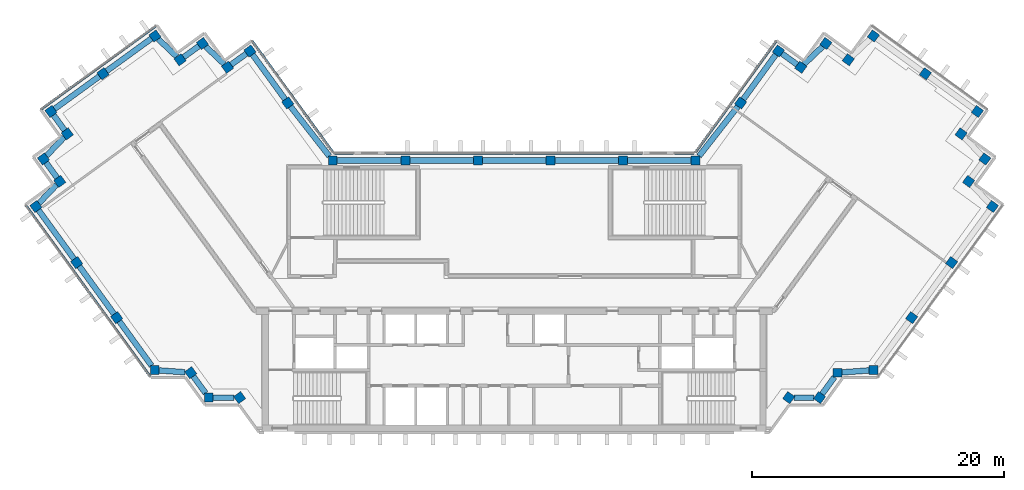
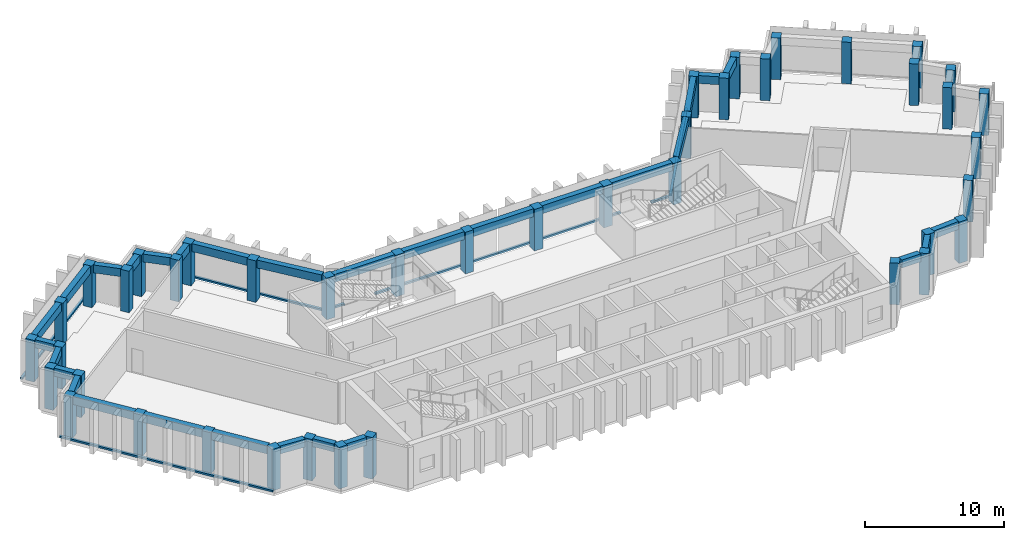
"""IFC4 building model written with IfcOpenShell, lengths in metres."""

import ifcopenshell
import ifcopenshell.guid

model = None  # the IFC model being written
_history = None  # IfcOwnerHistory: only IFC2X3 demands one
_inside = {}  # id of a spatial element -> (the spatial element, [elements in it])
_under = {}  # id of a project, library or spatial element -> (it, [spatial elements below it])
_declared = {}  # id of a project -> (the project, [libraries it declares])
_typed = {}  # id of a type object -> (the type object, [elements of that type])
_made_of = {}  # id of a material, layer set ... -> (it, [elements and type objects made of it])


def new_model(schema):
    """Start an empty IFC model of exactly this schema.

    Asked for "IFC4X3", IfcOpenShell would pick the latest addendum, in which some entities
    have other attributes; the version numbers below select the first issue.
    IFC2X3 requires an IfcOwnerHistory on every rooted entity: one is made here for all.
    """
    global model, _history
    if schema == "IFC4X3":
        model = ifcopenshell.file(schema_version=(4, 3, 0, 0))
    else:
        model = ifcopenshell.file(schema=schema)
    _inside.clear()
    _under.clear()
    _declared.clear()
    _typed.clear()
    _made_of.clear()
    _history = None
    if model.schema == "IFC2X3":
        org = make("IfcOrganization", Name="unknown")
        user = make(
            "IfcPersonAndOrganization",
            ThePerson=make("IfcPerson", FamilyName="unknown"),
            TheOrganization=org,
        )
        app = make(
            "IfcApplication",
            ApplicationDeveloper=org,
            Version="unknown",
            ApplicationFullName="unknown",
            ApplicationIdentifier="unknown",
        )
        _history = make(
            "IfcOwnerHistory",
            OwningUser=user,
            OwningApplication=app,
            ChangeAction="ADDED",
            CreationDate=0,
        )
    return model


def make(cls, **values):
    """One entity of the class cls with the attributes given. An attribute that is None is left unset."""
    return model.create_entity(
        cls, **{name: value for name, value in values.items() if value is not None}
    )


def rooted(cls, **values):
    """An entity with a GlobalId (a new one), such as an element, a storey or a relation."""
    return make(cls, GlobalId=ifcopenshell.guid.new(), OwnerHistory=_history, **values)


def si_unit(unit_type, name, prefix=None):
    """IfcSIUnit, for example si_unit("LENGTHUNIT", "METRE", prefix="MILLI")."""
    return make("IfcSIUnit", UnitType=unit_type, Prefix=prefix, Name=name)


def assignment(units):
    """IfcUnitAssignment: the units of a project."""
    return None if units is None else make("IfcUnitAssignment", Units=units)


def point(xyz):
    """IfcCartesianPoint."""
    return None if xyz is None else make("IfcCartesianPoint", Coordinates=xyz)


def direction(xyz):
    """IfcDirection."""
    return None if xyz is None else make("IfcDirection", DirectionRatios=xyz)


def frame(location, z_axis=None, x_axis=None):
    """IfcAxis2Placement3D, a coordinate frame: its origin and axes. An axis left out is left unset."""
    return make(
        "IfcAxis2Placement3D",
        Location=point(location),
        Axis=direction(z_axis),
        RefDirection=direction(x_axis),
    )


def frame_2d(location, x_axis=None):
    """IfcAxis2Placement2D, a coordinate frame in the plane: its origin and x axis."""
    return make(
        "IfcAxis2Placement2D", Location=point(location), RefDirection=direction(x_axis)
    )


def origin():
    """The frame at (0, 0, 0) with its axes left unset."""
    return frame((0.0, 0.0, 0.0))


def origin_2d():
    """The frame at (0, 0) in the plane with its x axis left unset."""
    return frame_2d((0.0, 0.0))


def place(relative_to, where):
    """IfcLocalPlacement: puts the frame where relative to a parent placement (None: the world)."""
    return make(
        "IfcLocalPlacement", PlacementRelTo=relative_to, RelativePlacement=where
    )


def context(
    kind, dimensions, precision=None, world=None, true_north=None, identifier=None
):
    """IfcGeometricRepresentationContext, for example the 3D "Model" context."""
    return make(
        "IfcGeometricRepresentationContext",
        ContextIdentifier=identifier,
        ContextType=kind,
        CoordinateSpaceDimension=dimensions,
        Precision=precision,
        WorldCoordinateSystem=world,
        TrueNorth=true_north,
    )


def subcontext(parent, identifier, kind, view, scale=None):
    """IfcGeometricRepresentationSubContext, for example "Body" below "Model"."""
    return make(
        "IfcGeometricRepresentationSubContext",
        ContextIdentifier=identifier,
        ContextType=kind,
        ParentContext=parent,
        TargetScale=scale,
        TargetView=view,
    )


def project(units=None, contexts=None):
    """IfcProject with its units and contexts."""
    return rooted(
        "IfcProject",
        Name="project",
        RepresentationContexts=contexts,
        UnitsInContext=assignment(units),
    )


def spatial(cls, under=None, at=None, **own):
    """A site, building, storey or space (cls), placed at a placement, below another one or the project."""
    s = rooted(cls, ObjectPlacement=at, **own)
    if under is not None:
        _under.setdefault(under.id(), (under, []))[1].append(s)
    return s


def profile(cls, at=None, kind="AREA", **sizes):
    """A parametric profile (cls). Its sizes go by their IFC names, for example OverallWidth=200.0."""
    return make(cls, ProfileType=kind, Position=at, **sizes)


def rectangle(**sizes):
    """IfcRectangleProfileDef."""
    return profile("IfcRectangleProfileDef", **sizes)


def extrude(swept, where, along, depth):
    """IfcExtrudedAreaSolid: the profile swept, set in the frame where, extruded along a direction by depth."""
    return make(
        "IfcExtrudedAreaSolid",
        SweptArea=swept,
        Position=where,
        ExtrudedDirection=direction(along),
        Depth=depth,
    )


def shape(context_of_items, identifier, shape_type, items):
    """IfcShapeRepresentation: the items that make up one representation, for example the "Body"."""
    return make(
        "IfcShapeRepresentation",
        ContextOfItems=context_of_items,
        RepresentationIdentifier=identifier,
        RepresentationType=shape_type,
        Items=items,
    )


def material(Name=None, Category=None):
    """IfcMaterial."""
    return make("IfcMaterial", Name=Name, Category=Category)


def material_profile(
    of_material, cross_section, Name=None, Category=None, Priority=None
):
    """IfcMaterialProfile: a cross section and its material."""
    return make(
        "IfcMaterialProfile",
        Name=Name,
        Material=of_material,
        Profile=cross_section,
        Priority=Priority,
        Category=Category,
    )


def profile_set(profiles, Name=None, composite=None):
    """IfcMaterialProfileSet."""
    return make(
        "IfcMaterialProfileSet",
        Name=Name,
        MaterialProfiles=profiles,
        CompositeProfile=composite,
    )


def made_of(thing, what):
    """Note that an element or type object is made of a material, layer set ...; save() writes the relation."""
    if what is not None:
        _made_of.setdefault(what.id(), (what, []))[1].append(thing)
    return thing


def type_object(cls, material=None, **own):
    """A type object (cls), such as IfcWallType, which elements share."""
    return made_of(rooted(cls, **own), material)


def element(
    cls,
    number,
    at=None,
    inside=None,
    cuts=None,
    type_object=None,
    material=None,
    context=None,
    identifier="Body",
    shape_type=None,
    held_by="IfcProductDefinitionShape",
    body=None,
    shapes=None,
    **own,
):
    """One element of the class cls, such as IfcWall. Its Tag is "e" and its number.

    at: its placement. inside: the storey or other place that contains it. cuts: it is an
    opening in that element (IfcRelVoidsElement). A single representation is given by context,
    identifier, shape_type and body (its items); several are given by shapes. held_by: the class
    of the entity that holds the representations. save() writes the other relations.
    """
    e = rooted(cls, Tag="e%d" % number, ObjectPlacement=at, **own)
    if body is not None:
        shapes = [shape(context, identifier, shape_type, body)]
    if shapes is not None:
        e.Representation = make(held_by, Representations=shapes)
    if inside is not None:
        _inside.setdefault(inside.id(), (inside, []))[1].append(e)
    if cuts is not None:
        rooted(
            "IfcRelVoidsElement", RelatingBuildingElement=cuts, RelatedOpeningElement=e
        )
    if type_object is not None:
        _typed.setdefault(type_object.id(), (type_object, []))[1].append(e)
    return made_of(e, material)


def aggregate(whole, parts):
    """IfcRelAggregates: a whole, such as a stair, and the parts it consists of."""
    return rooted("IfcRelAggregates", RelatingObject=whole, RelatedObjects=parts)


def save(model, path):
    """Write the relations noted so far, then the file.

    IfcRelAggregates (storeys below a building ...), IfcRelContainedInSpatialStructure (elements
    in a storey), IfcRelDefinesByType, IfcRelAssociatesMaterial and IfcRelDeclares: one each for
    every whole, place, type object, material and project.
    """
    for whole, parts in _under.values():
        aggregate(whole, parts)
    for where, things in _inside.values():
        rooted(
            "IfcRelContainedInSpatialStructure",
            RelatedElements=things,
            RelatingStructure=where,
        )
    for kind, things in _typed.values():
        rooted("IfcRelDefinesByType", RelatedObjects=things, RelatingType=kind)
    for what, things in _made_of.values():
        rooted("IfcRelAssociatesMaterial", RelatedObjects=things, RelatingMaterial=what)
    for by, libraries in _declared.values():
        rooted("IfcRelDeclares", RelatingContext=by, RelatedDefinitions=libraries)
    model.write(path)


model = new_model("IFC4")

# Units and contexts
model_context = context("Model", 3, precision=1e-05, world=origin(), true_north=direction((0.0, 1.0)))
body_context = subcontext(model_context, "Body", "Model", "MODEL_VIEW")
ifc_project = project(units=[si_unit("LENGTHUNIT", "METRE"), si_unit("AREAUNIT", "SQUARE_METRE"), si_unit("VOLUMEUNIT", "CUBIC_METRE"), si_unit("PLANEANGLEUNIT", "RADIAN"), si_unit("MASSUNIT", "GRAM", prefix="KILO")], contexts=[model_context])

# Site, building, storey
site_placement = place(None, origin())
site = spatial("IfcSite", under=ifc_project, at=site_placement, CompositionType="ELEMENT")
building_placement = place(site_placement, origin())
building = spatial("IfcBuilding", under=site, at=building_placement, Name="Quipu Civic Tower", CompositionType="ELEMENT")
storey_1_placement = place(building_placement, frame((0.0, 0.0, 307.0)))
storey_1 = spatial("IfcBuildingStorey", under=building, at=storey_1_placement, Name="L71", CompositionType="ELEMENT", Elevation=307.0)

# Columns
ifc_material_1 = material(Name="Concrete C40/50", Category="concrete")
ifc_material_profile_1 = material_profile(ifc_material_1, rectangle(XDim=0.699951171875, YDim=0.699951171875, at=origin_2d()), Name="RC700x700")
ifc_profile_set_1 = profile_set([ifc_material_profile_1], Name="Concrete C40/50")
column_type = type_object("IfcColumnType", Name="Perimeter column RC 700x700 C40/50", PredefinedType="COLUMN", material=ifc_profile_set_1)
for number, where, z_axis, x_axis, name in (
    (1, (-17.9736328125, 15.074951171875, 0.0), (0.0, 0.0, 1.0), (-0.587785252292, 0.809016994375, 0.0), "Column L71 W-IN-01"),
    (2, (-20.969970703125, 19.195068359375, 0.0), (0.0, 0.0, 1.0), (-0.587785252292, 0.809016994375, 0.0), "Column L71 T-Wi.0-W22"),
    (3, (-22.749267578125, 17.904296875, 0.0), (0.0, 0.0, 1.0), (-0.587785252292, 0.809016994375, 0.0), "Column L71 T-Wi.1-W22"),
    (4, (-24.739990234375, 19.794921875, 0.0), (0.0, 0.0, 1.0), (-0.587785252292, 0.809016994375, 0.0), "Column L71 T-Wi.2-W22"),
    (5, (-26.51904296875, 18.50048828125, 0.0), (0.0, 0.0, 1.0), (-0.587785252292, 0.809016994375, 0.0), "Column L71 T-Wi.3-W22"),
    (6, (-28.510009765625, 20.389892578125, 0.0), (0.0, 0.0, 1.0), (-0.809016994375, -0.587785252292, 0.0), "Column L71 T-Wi.4-W22"),
    (7, (-32.636962890625, 17.39306640625, 0.0), (0.0, 0.0, 1.0), (-0.809016994375, -0.587785252292, 0.0), "Column L71 TIP-W-01-W22"),
    (8, (-36.764892578125, 14.39501953125, 0.0), (0.0, 0.0, 1.0), (0.587785252292, -0.809016994375, 0.0), "Column L71 T-Wo.0-W22"),
    (9, (-35.470703125, 12.616455078125, 0.0), (0.0, 0.0, 1.0), (-0.809016994375, -0.587785252292, 0.0), "Column L71 T-Wo.1-W22"),
    (10, (-37.360107421875, 10.625, 0.0), (0.0, 0.0, 1.0), (0.587785252292, -0.809016994375, 0.0), "Column L71 T-Wo.2-W22"),
    (11, (-36.068115234375, 8.843994140625, 0.0), (0.0, 0.0, 1.0), (0.587785252292, -0.809016994375, 0.0), "Column L71 T-Wo.3-W22"),
    (12, (-37.9599609375, 6.85498046875, 0.0), (0.0, 0.0, 1.0), (0.587785252292, -0.809016994375, 0.0), "Column L71 T-Wo.4-W22"),
    (13, (-34.722412109375, 2.39990234375, 0.0), (0.0, 0.0, 1.0), (0.587785252292, -0.809016994375, 0.0), "Column L71 W-OUT-02"),
    (14, (-31.54833984375, -1.96875, 0.0), (0.0, 0.0, 1.0), (0.587785252292, -0.809016994375, 0.0), "Column L71 W-OUT-01"),
    (15, (-28.52490234375, -6.1298828125, 0.0), (0.0, 0.0, 1.0), (1.0, 0.0, 0.0), "Column L71 J-Wo.0"),
    (16, (-25.67431640625, -6.3369140625, 0.0), (0.0, 0.0, 1.0), (0.587785252292, -0.809016994375, 0.0), "Column L71 J-Wo.1"),
    (17, (-24.235107421875, -8.31494140625, 0.0), (0.0, 0.0, 1.0), (1.0, 0.0, 0.0), "Column L71 J-Wo.2"),
    (18, (-21.791748046875, -8.31494140625, 0.0), (0.0, 0.0, 1.0), (0.587785252292, -0.809016994375, 0.0), "Column L71 J-Wo.3"),
    (19, (21.791748046875, -8.31494140625, 0.0), (0.0, 0.0, 1.0), (0.587785252292, 0.809016994375, 0.0), "Column L71 J-Eo.1"),
    (20, (24.235107421875, -8.31494140625, 0.0), (0.0, 0.0, 1.0), (0.587785252292, 0.809016994375, 0.0), "Column L71 J-Eo.2"),
    (21, (25.67431640625, -6.3369140625, 0.0), (0.0, 0.0, 1.0), (1.0, 0.0, 0.0), "Column L71 J-Eo.3"),
    (22, (28.52490234375, -6.1298828125, 0.0), (0.0, 0.0, 1.0), (1.0, 0.0, 0.0), "Column L71 J-Eo.4"),
    (23, (31.54833984375, -1.96875, 0.0), (0.0, 0.0, 1.0), (0.587785252292, 0.809016994375, 0.0), "Column L71 E-OUT-01"),
    (24, (34.722412109375, 2.39990234375, 0.0), (0.0, 0.0, 1.0), (0.587785252292, 0.809016994375, 0.0), "Column L71 E-OUT-02"),
    (25, (37.9599609375, 6.85498046875, 0.0), (0.0, 0.0, 1.0), (0.587785252292, 0.809016994375, 0.0), "Column L71 T-Eo.0-E22"),
    (26, (36.068115234375, 8.843994140625, 0.0), (0.0, 0.0, 1.0), (0.587785252292, 0.809016994375, 0.0), "Column L71 T-Eo.1-E22"),
    (27, (37.360107421875, 10.625, 0.0), (0.0, 0.0, 1.0), (0.587785252292, 0.809016994375, 0.0), "Column L71 T-Eo.2-E22"),
    (28, (35.470703125, 12.616455078125, 0.0), (0.0, 0.0, 1.0), (-0.809016994375, 0.587785252292, 0.0), "Column L71 T-Eo.3-E22"),
    (29, (36.764892578125, 14.39501953125, 0.0), (0.0, 0.0, 1.0), (-0.809016994375, 0.587785252292, 0.0), "Column L71 T-Eo.4-E22"),
    (30, (32.636962890625, 17.39306640625, 0.0), (0.0, 0.0, 1.0), (-0.809016994375, 0.587785252292, 0.0), "Column L71 TIP-E-01-E22"),
    (31, (28.510009765625, 20.389892578125, 0.0), (0.0, 0.0, 1.0), (-0.587785252292, -0.809016994375, 0.0), "Column L71 T-Ei.0-E22"),
    (32, (26.51904296875, 18.50048828125, 0.0), (0.0, 0.0, 1.0), (-0.809016994375, 0.587785252292, 0.0), "Column L71 T-Ei.1-E22"),
    (33, (24.739990234375, 19.794921875, 0.0), (0.0, 0.0, 1.0), (-0.587785252292, -0.809016994375, 0.0), "Column L71 T-Ei.2-E22"),
    (34, (22.749267578125, 17.904296875, 0.0), (0.0, 0.0, 1.0), (-0.587785252292, -0.809016994375, 0.0), "Column L71 T-Ei.3-E22"),
    (35, (20.969970703125, 19.195068359375, 0.0), (0.0, 0.0, 1.0), (-0.587785252292, -0.809016994375, 0.0), "Column L71 T-Ei.4-E22"),
    (36, (17.9736328125, 15.074951171875, 0.0), (0.0, 0.0, 1.0), (-0.587785252292, -0.809016994375, 0.0), "Column L71 E-IN-01"),
    (37, (14.395263671875, 10.5, 0.0), (0.0, 0.0, 1.0), (-1.0, 0.0, 0.0), "Column L71 J-Ei.0"),
    (38, (8.63720703125, 10.5, 0.0), (0.0, 0.0, 1.0), (-1.0, 0.0, 0.0), "Column L71 FRONT-01"),
    (39, (2.87890625, 10.5, 0.0), (0.0, 0.0, 1.0), (-1.0, 0.0, 0.0), "Column L71 FRONT-02"),
    (40, (-2.87890625, 10.5, 0.0), (0.0, 0.0, 1.0), (-1.0, 0.0, 0.0), "Column L71 FRONT-03"),
    (41, (-8.63720703125, 10.5, 0.0), (0.0, 0.0, 1.0), (-1.0, 0.0, 0.0), "Column L71 FRONT-04"),
    (42, (-14.395263671875, 10.5, 0.0), (0.0, 0.0, 1.0), (-1.0, 0.0, 0.0), "Column L71 J-Wi.0"),
):
    element("IfcColumn", number, at=place(storey_1_placement, frame(where, z_axis=z_axis, x_axis=x_axis)), inside=storey_1, type_object=column_type, Name=name, PredefinedType="COLUMN", context=body_context, shape_type="SweptSolid", body=[
        extrude(rectangle(XDim=0.699951171875, YDim=0.699951171875, at=origin_2d()), origin(), (0.0, 0.0, 1.0), 3.64990234375),
    ])

# Beams
ifc_material_2 = material(Name="Concrete C50/60", Category="concrete")
ifc_material_profile_2 = material_profile(ifc_material_2, rectangle(XDim=0.449951171875, YDim=0.699951171875, at=origin_2d()), Name="RC450x700")
ifc_profile_set_2 = profile_set([ifc_material_profile_2], Name="Concrete C50/60")
beam_type = type_object("IfcBeamType", Name="Spandrel beam RC 450x700 C50/60", PredefinedType="SPANDREL", material=ifc_profile_set_2)
beam_1_placement = place(storey_1_placement, frame((-18.179443359375, 15.358154296875, 3.300048828125), z_axis=(-0.588201428764, 0.808714460857, 0.0), x_axis=(-0.808714460857, -0.588201428764, 0.0)))
element("IfcBeam", 43, at=beam_1_placement, inside=storey_1, type_object=beam_type, Name="Spandrel beam L71 W-IN-01 to T-Wi.0-W22", PredefinedType="SPANDREL", context=body_context, shape_type="SweptSolid", body=[
    extrude(rectangle(XDim=0.449951171875, YDim=0.699951171875, at=origin_2d()), origin(), (0.0, 0.0, 1.0), 4.394287109375),
])
beam_2_placement = place(storey_1_placement, frame((-21.25341796875, 18.989501953125, 3.300048828125), z_axis=(-0.809461336076, -0.587173181776, 0.0), x_axis=(0.587173181776, -0.809461336076, 0.0)))
element("IfcBeam", 44, at=beam_2_placement, inside=storey_1, type_object=beam_type, Name="Spandrel beam L71 T-Wi.0-W22 to T-Wi.1-W22", PredefinedType="SPANDREL", context=body_context, shape_type="SweptSolid", body=[
    extrude(rectangle(XDim=0.449951171875, YDim=0.699951171875, at=origin_2d()), origin(), (0.0, 0.0, 1.0), 1.498046875),
])
beam_3_placement = place(storey_1_placement, frame((-23.00732421875, 18.1494140625, 3.300048828125), z_axis=(-0.72511931772, 0.6886232461, 0.0), x_axis=(-0.6886232461, -0.72511931772, 0.0)))
element("IfcBeam", 45, at=beam_3_placement, inside=storey_1, type_object=beam_type, Name="Spandrel beam L71 T-Wi.1-W22 to T-Wi.2-W22", PredefinedType="SPANDREL", context=body_context, shape_type="SweptSolid", body=[
    extrude(rectangle(XDim=0.449951171875, YDim=0.699951171875, at=origin_2d()), origin(), (0.0, 0.0, 1.0), 2.03369140625),
])
beam_4_placement = place(storey_1_placement, frame((-25.02294921875, 19.589111328125, 3.300048828125), z_axis=(-0.808644589435, -0.588297482553, 0.0), x_axis=(0.588297482553, -0.808644589435, 0.0)))
element("IfcBeam", 46, at=beam_4_placement, inside=storey_1, type_object=beam_type, Name="Spandrel beam L71 T-Wi.2-W22 to T-Wi.3-W22", PredefinedType="SPANDREL", context=body_context, shape_type="SweptSolid", body=[
    extrude(rectangle(XDim=0.449951171875, YDim=0.699951171875, at=origin_2d()), origin(), (0.0, 0.0, 1.0), 1.500244140625),
])
beam_5_placement = place(storey_1_placement, frame((-26.777099609375, 18.74560546875, 3.300048828125), z_axis=(-0.725359138958, 0.688370626574, 0.0), x_axis=(-0.688370626574, -0.725359138958, 0.0)))
element("IfcBeam", 47, at=beam_5_placement, inside=storey_1, type_object=beam_type, Name="Spandrel beam L71 T-Wi.3-W22 to T-Wi.4-W22", PredefinedType="SPANDREL", context=body_context, shape_type="SweptSolid", body=[
    extrude(rectangle(XDim=0.449951171875, YDim=0.699951171875, at=origin_2d()), origin(), (0.0, 0.0, 1.0), 2.032958984375),
])
beam_6_placement = place(storey_1_placement, frame((-28.793212890625, 20.184326171875, 3.300048828125), z_axis=(-0.809146152767, -0.587607439931, 0.0), x_axis=(0.587607439931, -0.809146152767, 0.0)))
element("IfcBeam", 48, at=beam_6_placement, inside=storey_1, type_object=beam_type, Name="Spandrel beam L71 T-Wi.4-W22 to TIP-W-01-W22", PredefinedType="SPANDREL", context=body_context, shape_type="SweptSolid", body=[
    extrude(rectangle(XDim=0.449951171875, YDim=0.699951171875, at=origin_2d()), origin(), (0.0, 0.0, 1.0), 4.400390625),
])
beam_7_placement = place(storey_1_placement, frame((-32.920166015625, 17.187255859375, 3.300048828125), z_axis=(-0.809117270763, -0.587647208921, 0.0), x_axis=(0.587647208921, -0.809117270763, 0.0)))
element("IfcBeam", 49, at=beam_7_placement, inside=storey_1, type_object=beam_type, Name="Spandrel beam L71 TIP-W-01-W22 to T-Wo.0-W22", PredefinedType="SPANDREL", context=body_context, shape_type="SweptSolid", body=[
    extrude(rectangle(XDim=0.449951171875, YDim=0.699951171875, at=origin_2d()), origin(), (0.0, 0.0, 1.0), 4.40185546875),
])
beam_8_placement = place(storey_1_placement, frame((-36.55908203125, 14.112060546875, 3.300048828125), z_axis=(0.588345920092, -0.808609348394, 0.0), x_axis=(0.808609348394, 0.588345920092, 0.0)))
element("IfcBeam", 50, at=beam_8_placement, inside=storey_1, type_object=beam_type, Name="Spandrel beam L71 T-Wo.0-W22 to T-Wo.1-W22", PredefinedType="SPANDREL", context=body_context, shape_type="SweptSolid", body=[
    extrude(rectangle(XDim=0.449951171875, YDim=0.699951171875, at=origin_2d()), origin(), (0.0, 0.0, 1.0), 1.499755859375),
])
beam_9_placement = place(storey_1_placement, frame((-35.7158203125, 12.358154296875, 3.300048828125), z_axis=(-0.688247466856, -0.725475998477, 0.0), x_axis=(0.725475998477, -0.688247466856, 0.0)))
element("IfcBeam", 51, at=beam_9_placement, inside=storey_1, type_object=beam_type, Name="Spandrel beam L71 T-Wo.1-W22 to T-Wo.2-W22", PredefinedType="SPANDREL", context=body_context, shape_type="SweptSolid", body=[
    extrude(rectangle(XDim=0.449951171875, YDim=0.699951171875, at=origin_2d()), origin(), (0.0, 0.0, 1.0), 2.032958984375),
])
beam_10_placement = place(storey_1_placement, frame((-37.154541015625, 10.341796875, 3.300048828125), z_axis=(0.587164895097, -0.809467347066, 0.0), x_axis=(0.809467347066, 0.587164895097, 0.0)))
element("IfcBeam", 52, at=beam_10_placement, inside=storey_1, type_object=beam_type, Name="Spandrel beam L71 T-Wo.2-W22 to T-Wo.3-W22", PredefinedType="SPANDREL", context=body_context, shape_type="SweptSolid", body=[
    extrude(rectangle(XDim=0.449951171875, YDim=0.699951171875, at=origin_2d()), origin(), (0.0, 0.0, 1.0), 1.500244140625),
])
beam_11_placement = place(storey_1_placement, frame((-36.3134765625, 8.586181640625, 3.300048828125), z_axis=(-0.689175330605, -0.724594620244, 0.0), x_axis=(0.724594620244, -0.689175330605, 0.0)))
element("IfcBeam", 53, at=beam_11_placement, inside=storey_1, type_object=beam_type, Name="Spandrel beam L71 T-Wo.3-W22 to T-Wo.4-W22", PredefinedType="SPANDREL", context=body_context, shape_type="SweptSolid", body=[
    extrude(rectangle(XDim=0.449951171875, YDim=0.699951171875, at=origin_2d()), origin(), (0.0, 0.0, 1.0), 2.033447265625),
])
beam_12_placement = place(storey_1_placement, frame((-37.754150390625, 6.57177734375, 3.300048828125), z_axis=(0.587905928359, -0.808929304328, 0.0), x_axis=(0.808929304328, 0.587905928359, 0.0)))
element("IfcBeam", 54, at=beam_12_placement, inside=storey_1, type_object=beam_type, Name="Spandrel beam L71 T-Wo.4-W22 to W-OUT-02", PredefinedType="SPANDREL", context=body_context, shape_type="SweptSolid", body=[
    extrude(rectangle(XDim=0.449951171875, YDim=0.699951171875, at=origin_2d()), origin(), (0.0, 0.0, 1.0), 4.80712890625),
])
beam_13_placement = place(storey_1_placement, frame((-34.5166015625, 2.116943359375, 3.300048828125), z_axis=(0.587788656305, -0.809014521204, 0.0), x_axis=(0.809014521204, 0.587788656305, 0.0)))
element("IfcBeam", 55, at=beam_13_placement, inside=storey_1, type_object=beam_type, Name="Spandrel beam L71 W-OUT-02 to W-OUT-01", PredefinedType="SPANDREL", context=body_context, shape_type="SweptSolid", body=[
    extrude(rectangle(XDim=0.449951171875, YDim=0.699951171875, at=origin_2d()), origin(), (0.0, 0.0, 1.0), 4.7001953125),
])
beam_14_placement = place(storey_1_placement, frame((-31.342529296875, -2.251953125, 3.300048828125), z_axis=(0.58777550284, -0.809024077677, 0.0), x_axis=(0.809024077677, 0.58777550284, 0.0)))
element("IfcBeam", 56, at=beam_14_placement, inside=storey_1, type_object=beam_type, Name="Spandrel beam L71 W-OUT-01 to J-Wo.0", PredefinedType="SPANDREL", context=body_context, shape_type="SweptSolid", body=[
    extrude(rectangle(XDim=0.449951171875, YDim=0.699951171875, at=origin_2d()), origin(), (0.0, 0.0, 1.0), 4.36083984375),
])
beam_15_placement = place(storey_1_placement, frame((-28.175048828125, -6.155517578125, 3.300048828125), z_axis=(0.99737333325, -0.072432272649, 0.0), x_axis=(0.072432272649, 0.99737333325, 0.0)))
element("IfcBeam", 57, at=beam_15_placement, inside=storey_1, type_object=beam_type, Name="Spandrel beam L71 J-Wo.0 to J-Wo.1", PredefinedType="SPANDREL", context=body_context, shape_type="SweptSolid", body=[
    extrude(rectangle(XDim=0.449951171875, YDim=0.699951171875, at=origin_2d()), origin(), (0.0, 0.0, 1.0), 2.04931640625),
])
beam_16_placement = place(storey_1_placement, frame((-25.468505859375, -6.6201171875, 3.300048828125), z_axis=(0.588407300614, -0.80856468423, 0.0), x_axis=(0.80856468423, 0.588407300614, 0.0)))
element("IfcBeam", 58, at=beam_16_placement, inside=storey_1, type_object=beam_type, Name="Spandrel beam L71 J-Wo.1 to J-Wo.2", PredefinedType="SPANDREL", context=body_context, shape_type="SweptSolid", body=[
    extrude(rectangle(XDim=0.449951171875, YDim=0.699951171875, at=origin_2d()), origin(), (0.0, 0.0, 1.0), 1.663330078125),
])
beam_17_placement = place(storey_1_placement, frame((-23.885009765625, -8.31494140625, 3.300048828125), z_axis=(1.0, 0.0, 0.0), x_axis=(0.0, 1.0, 0.0)))
element("IfcBeam", 59, at=beam_17_placement, inside=storey_1, type_object=beam_type, Name="Spandrel beam L71 J-Wo.2 to J-Wo.3", PredefinedType="SPANDREL", context=body_context, shape_type="SweptSolid", body=[
    extrude(rectangle(XDim=0.449951171875, YDim=0.699951171875, at=origin_2d()), origin(), (0.0, 0.0, 1.0), 1.66064453125),
])
beam_18_placement = place(storey_1_placement, frame((22.224365234375, -8.31494140625, 3.300048828125), z_axis=(1.0, 0.0, 0.0), x_axis=(0.0, 1.0, 0.0)))
element("IfcBeam", 60, at=beam_18_placement, inside=storey_1, type_object=beam_type, Name="Spandrel beam L71 J-Eo.1 to J-Eo.2", PredefinedType="SPANDREL", context=body_context, shape_type="SweptSolid", body=[
    extrude(rectangle(XDim=0.449951171875, YDim=0.699951171875, at=origin_2d()), origin(), (0.0, 0.0, 1.0), 1.578125),
])
beam_19_placement = place(storey_1_placement, frame((24.44091796875, -8.031982421875, 3.300048828125), z_axis=(0.588407300614, 0.80856468423, 0.0), x_axis=(-0.80856468423, 0.588407300614, 0.0)))
element("IfcBeam", 61, at=beam_19_placement, inside=storey_1, type_object=beam_type, Name="Spandrel beam L71 J-Eo.2 to J-Eo.3", PredefinedType="SPANDREL", context=body_context, shape_type="SweptSolid", body=[
    extrude(rectangle(XDim=0.449951171875, YDim=0.699951171875, at=origin_2d()), origin(), (0.0, 0.0, 1.0), 1.663330078125),
])
beam_20_placement = place(storey_1_placement, frame((26.0244140625, -6.3115234375, 3.300048828125), z_axis=(0.997379352029, 0.072349347934, 0.0), x_axis=(-0.072349347934, 0.997379352029, 0.0)))
element("IfcBeam", 62, at=beam_20_placement, inside=storey_1, type_object=beam_type, Name="Spandrel beam L71 J-Eo.3 to J-Eo.4", PredefinedType="SPANDREL", context=body_context, shape_type="SweptSolid", body=[
    extrude(rectangle(XDim=0.449951171875, YDim=0.699951171875, at=origin_2d()), origin(), (0.0, 0.0, 1.0), 2.15625),
])
beam_21_placement = place(storey_1_placement, frame((24.48193359375, 19.5498046875, 3.300048828125), z_axis=(-0.72511931772, -0.6886232461, 0.0), x_axis=(0.6886232461, -0.72511931772, 0.0)))
element("IfcBeam", 63, at=beam_21_placement, inside=storey_1, type_object=beam_type, Name="Spandrel beam L71 T-Ei.2-E22 to T-Ei.3-E22", PredefinedType="SPANDREL", context=body_context, shape_type="SweptSolid", body=[
    extrude(rectangle(XDim=0.449951171875, YDim=0.699951171875, at=origin_2d()), origin(), (0.0, 0.0, 1.0), 2.03369140625),
])
beam_22_placement = place(storey_1_placement, frame((22.466064453125, 18.10986328125, 3.300048828125), z_axis=(-0.809461336076, 0.587173181776, 0.0), x_axis=(-0.587173181776, -0.809461336076, 0.0)))
element("IfcBeam", 64, at=beam_22_placement, inside=storey_1, type_object=beam_type, Name="Spandrel beam L71 T-Ei.3-E22 to T-Ei.4-E22", PredefinedType="SPANDREL", context=body_context, shape_type="SweptSolid", body=[
    extrude(rectangle(XDim=0.449951171875, YDim=0.699951171875, at=origin_2d()), origin(), (0.0, 0.0, 1.0), 1.498046875),
])
beam_23_placement = place(storey_1_placement, frame((20.76416015625, 18.911865234375, 3.300048828125), z_axis=(-0.588201428764, -0.808714460857, 0.0), x_axis=(0.808714460857, -0.588201428764, 0.0)))
element("IfcBeam", 65, at=beam_23_placement, inside=storey_1, type_object=beam_type, Name="Spandrel beam L71 T-Ei.4-E22 to E-IN-01", PredefinedType="SPANDREL", context=body_context, shape_type="SweptSolid", body=[
    extrude(rectangle(XDim=0.449951171875, YDim=0.699951171875, at=origin_2d()), origin(), (0.0, 0.0, 1.0), 4.394287109375),
])
beam_24_placement = place(storey_1_placement, frame((17.7578125, 14.799072265625, 3.300048828125), z_axis=(-0.616106034519, -0.787663223865, 0.0), x_axis=(0.787663223865, -0.616106034519, 0.0)))
element("IfcBeam", 66, at=beam_24_placement, inside=storey_1, type_object=beam_type, Name="Spandrel beam L71 E-IN-01 to J-Ei.0", PredefinedType="SPANDREL", context=body_context, shape_type="SweptSolid", body=[
    extrude(rectangle(XDim=0.449951171875, YDim=0.699951171875, at=origin_2d()), origin(), (0.0, 0.0, 1.0), 5.013427734375),
])
for number, where, z_axis, x_axis, name in (
    (67, (14.045166015625, 10.5, 3.300048828125), (-1.0, 0.0, 0.0), (0.0, -1.0, 0.0), "Spandrel beam L71 J-Ei.0 to FRONT-01"),
    (68, (8.287109375, 10.5, 3.300048828125), (-1.0, 0.0, 0.0), (0.0, -1.0, 0.0), "Spandrel beam L71 FRONT-01 to FRONT-02"),
    (69, (2.529052734375, 10.5, 3.300048828125), (-1.0, 0.0, 0.0), (0.0, -1.0, 0.0), "Spandrel beam L71 FRONT-02 to FRONT-03"),
    (70, (-3.22900390625, 10.5, 3.300048828125), (-1.0, 0.0, 0.0), (0.0, -1.0, 0.0), "Spandrel beam L71 FRONT-03 to FRONT-04"),
    (71, (-8.987060546875, 10.5, 3.300048828125), (-1.0, 0.0, 0.0), (0.0, -1.0, 0.0), "Spandrel beam L71 FRONT-04 to J-Wi.0"),
):
    element("IfcBeam", number, at=place(storey_1_placement, frame(where, z_axis=z_axis, x_axis=x_axis)), inside=storey_1, type_object=beam_type, Name=name, PredefinedType="SPANDREL", context=body_context, shape_type="SweptSolid", body=[
        extrude(rectangle(XDim=0.449951171875, YDim=0.699951171875, at=origin_2d()), origin(), (0.0, 0.0, 1.0), 5.05810546875),
    ])
beam_25_placement = place(storey_1_placement, frame((-14.6689453125, 10.85009765625, 3.300048828125), z_axis=(-0.616106034519, 0.787663223865, 0.0), x_axis=(-0.787663223865, -0.616106034519, 0.0)))
element("IfcBeam", 72, at=beam_25_placement, inside=storey_1, type_object=beam_type, Name="Spandrel beam L71 J-Wi.0 to W-IN-01", PredefinedType="SPANDREL", context=body_context, shape_type="SweptSolid", body=[
    extrude(rectangle(XDim=0.449951171875, YDim=0.699951171875, at=origin_2d()), origin(), (0.0, 0.0, 1.0), 5.013427734375),
])

# Storey
storey_2_placement = place(building_placement, frame((0.0, 0.0, 311.0)))
storey_2 = spatial("IfcBuildingStorey", under=building, at=storey_2_placement, Name="L72", CompositionType="ELEMENT", Elevation=311.0)

# Curtain wall, member
ifc_material_3 = material(Name="Insulated glass unit", Category="glass")
curtain_wall_type = type_object("IfcCurtainWallType", Name="Office curtain wall CW1", PredefinedType="NOTDEFINED", material=ifc_material_3)
curtain_wall_1_placement = place(storey_2_placement, origin())
curtain_wall_1 = element("IfcCurtainWall", 73, at=curtain_wall_1_placement, inside=storey_2, type_object=curtain_wall_type, Name="Office curtain wall CW1 L71 run 11", PredefinedType="NOTDEFINED")
ifc_material_4 = material(Name="Anodised aluminium", Category="aluminium")
ifc_material_profile_3 = material_profile(ifc_material_4, rectangle(XDim=0.199951171875, YDim=0.159912109375, at=origin_2d()), Name="RECT 200x160")
ifc_profile_set_3 = profile_set([ifc_material_profile_3], Name="Anodised aluminium")
member_type = type_object("IfcMemberType", Name="Transom CW1", PredefinedType="USERDEFINED", material=ifc_profile_set_3)
member_1_placement = place(storey_1_placement, frame((20.788818359375, 19.97021484375, 0.159912109375), z_axis=(-0.587796859727, -0.809008560953, 0.0), x_axis=(0.809008560953, -0.587796859727, 0.0)))
member_1 = element("IfcMember", 74, at=member_1_placement, inside=storey_1, type_object=member_type, Name="CW1 transom 1.1", ObjectType="TRANSOM", PredefinedType="USERDEFINED", context=body_context, shape_type="SweptSolid", body=[
    extrude(rectangle(XDim=0.199951171875, YDim=0.159912109375, at=origin_2d()), origin(), (0.0, 0.0, 1.0), 10.88427734375),
])
aggregate(curtain_wall_1, [member_1])

curtain_wall_2_placement = place(storey_2_placement, origin())
curtain_wall_2 = element("IfcCurtainWall", 75, at=curtain_wall_2_placement, inside=storey_2, type_object=curtain_wall_type, Name="Office curtain wall CW1 L71 run 12", PredefinedType="NOTDEFINED")
member_2_placement = place(storey_1_placement, frame((14.26416015625, 11.10009765625, 0.159912109375), z_axis=(-1.0, 0.0, 0.0), x_axis=(0.0, -1.0, 0.0)))
member_2 = element("IfcMember", 76, at=member_2_placement, inside=storey_1, type_object=member_type, Name="CW1 transom 1.1", ObjectType="TRANSOM", PredefinedType="USERDEFINED", context=body_context, shape_type="SweptSolid", body=[
    extrude(rectangle(XDim=0.199951171875, YDim=0.159912109375, at=origin_2d()), origin(), (0.0, 0.0, 1.0), 1.529052734375),
])
aggregate(curtain_wall_2, [member_2])

# Curtain wall, members
curtain_wall_3_placement = place(storey_2_placement, origin())
curtain_wall_3 = element("IfcCurtainWall", 77, at=curtain_wall_3_placement, inside=storey_2, type_object=curtain_wall_type, Name="Office curtain wall CW1 L71 run 14", PredefinedType="NOTDEFINED")
member_3_placement = place(storey_1_placement, frame((10.18359375, 11.10009765625, 0.159912109375), z_axis=(-1.0, 0.0, 0.0), x_axis=(0.0, -1.0, 0.0)))
member_3 = element("IfcMember", 78, at=member_3_placement, inside=storey_1, type_object=member_type, Name="CW1 transom 1.1", ObjectType="TRANSOM", PredefinedType="USERDEFINED", context=body_context, shape_type="SweptSolid", body=[
    extrude(rectangle(XDim=0.199951171875, YDim=0.159912109375, at=origin_2d()), origin(), (0.0, 0.0, 1.0), 10.1435546875),
])
member_4_placement = place(storey_1_placement, frame((-0.0400390625, 11.10009765625, 0.159912109375), z_axis=(-1.0, 0.0, 0.0), x_axis=(0.0, -1.0, 0.0)))
member_4 = element("IfcMember", 79, at=member_4_placement, inside=storey_1, type_object=member_type, Name="CW1 transom 2.1", ObjectType="TRANSOM", PredefinedType="USERDEFINED", context=body_context, shape_type="SweptSolid", body=[
    extrude(rectangle(XDim=0.199951171875, YDim=0.159912109375, at=origin_2d()), origin(), (0.0, 0.0, 1.0), 10.1435546875),
])
aggregate(curtain_wall_3, [member_3, member_4])

# Curtain wall, member
curtain_wall_4_placement = place(storey_2_placement, origin())
curtain_wall_4 = element("IfcCurtainWall", 80, at=curtain_wall_4_placement, inside=storey_2, type_object=curtain_wall_type, Name="Office curtain wall CW1 L71 run 16", PredefinedType="NOTDEFINED")
member_5_placement = place(storey_1_placement, frame((-12.735107421875, 11.10009765625, 0.159912109375), z_axis=(-1.0, 0.0, 0.0), x_axis=(0.0, -1.0, 0.0)))
member_5 = element("IfcMember", 81, at=member_5_placement, inside=storey_1, type_object=member_type, Name="CW1 transom 1.1", ObjectType="TRANSOM", PredefinedType="USERDEFINED", context=body_context, shape_type="SweptSolid", body=[
    extrude(rectangle(XDim=0.199951171875, YDim=0.159912109375, at=origin_2d()), origin(), (0.0, 0.0, 1.0), 1.529052734375),
])
aggregate(curtain_wall_4, [member_5])

curtain_wall_5_placement = place(storey_2_placement, origin())
curtain_wall_5 = element("IfcCurtainWall", 82, at=curtain_wall_5_placement, inside=storey_2, type_object=curtain_wall_type, Name="Office curtain wall CW1 L71 run 17", PredefinedType="NOTDEFINED")
member_6_placement = place(storey_1_placement, frame((-14.39111328125, 11.164794921875, 0.159912109375), z_axis=(-0.587796859727, 0.809008560953, 0.0), x_axis=(-0.809008560953, -0.587796859727, 0.0)))
member_6 = element("IfcMember", 83, at=member_6_placement, inside=storey_1, type_object=member_type, Name="CW1 transom 1.1", ObjectType="TRANSOM", PredefinedType="USERDEFINED", context=body_context, shape_type="SweptSolid", body=[
    extrude(rectangle(XDim=0.199951171875, YDim=0.159912109375, at=origin_2d()), origin(), (0.0, 0.0, 1.0), 10.88427734375),
])
aggregate(curtain_wall_5, [member_6])

curtain_wall_6_placement = place(storey_2_placement, origin())
curtain_wall_6 = element("IfcCurtainWall", 84, at=curtain_wall_6_placement, inside=storey_2, type_object=curtain_wall_type, Name="Office curtain wall CW1 L71 run 22", PredefinedType="NOTDEFINED")
member_7_placement = place(storey_1_placement, frame((-28.443359375, 21.1826171875, 0.159912109375), z_axis=(-0.809022463805, -0.587777724194, 0.0), x_axis=(0.587777724194, -0.809022463805, 0.0)))
member_7 = element("IfcMember", 85, at=member_7_placement, inside=storey_1, type_object=member_type, Name="CW1 transom 1.1", ObjectType="TRANSOM", PredefinedType="USERDEFINED", context=body_context, shape_type="SweptSolid", body=[
    extrude(rectangle(XDim=0.199951171875, YDim=0.159912109375, at=origin_2d()), origin(), (0.0, 0.0, 1.0), 11.240234375),
])
aggregate(curtain_wall_6, [member_7])

# Curtain wall, members
curtain_wall_7_placement = place(storey_2_placement, origin())
curtain_wall_7 = element("IfcCurtainWall", 86, at=curtain_wall_7_placement, inside=storey_2, type_object=curtain_wall_type, Name="Office curtain wall CW1 L71 run 27", PredefinedType="NOTDEFINED")
member_8_placement = place(storey_1_placement, frame((-38.7490234375, 6.92138671875, 0.159912109375), z_axis=(0.587779098815, -0.809021465102, 0.0), x_axis=(0.809021465102, 0.587779098815, 0.0)))
member_8 = element("IfcMember", 87, at=member_8_placement, inside=storey_1, type_object=member_type, Name="CW1 transom 1.1", ObjectType="TRANSOM", PredefinedType="USERDEFINED", context=body_context, shape_type="SweptSolid", body=[
    extrude(rectangle(XDim=0.199951171875, YDim=0.159912109375, at=origin_2d()), origin(), (0.0, 0.0, 1.0), 8.35791015625),
])
member_9_placement = place(storey_1_placement, frame((-33.78955078125, 0.094970703125, 0.159912109375), z_axis=(0.587812107925, -0.808997481935, 0.0), x_axis=(0.808997481935, 0.587812107925, 0.0)))
member_9 = element("IfcMember", 88, at=member_9_placement, inside=storey_1, type_object=member_type, Name="CW1 transom 2.1", ObjectType="TRANSOM", PredefinedType="USERDEFINED", context=body_context, shape_type="SweptSolid", body=[
    extrude(rectangle(XDim=0.199951171875, YDim=0.159912109375, at=origin_2d()), origin(), (0.0, 0.0, 1.0), 8.35791015625),
])
aggregate(curtain_wall_7, [member_8, member_9])

save(model, "model.ifc")
